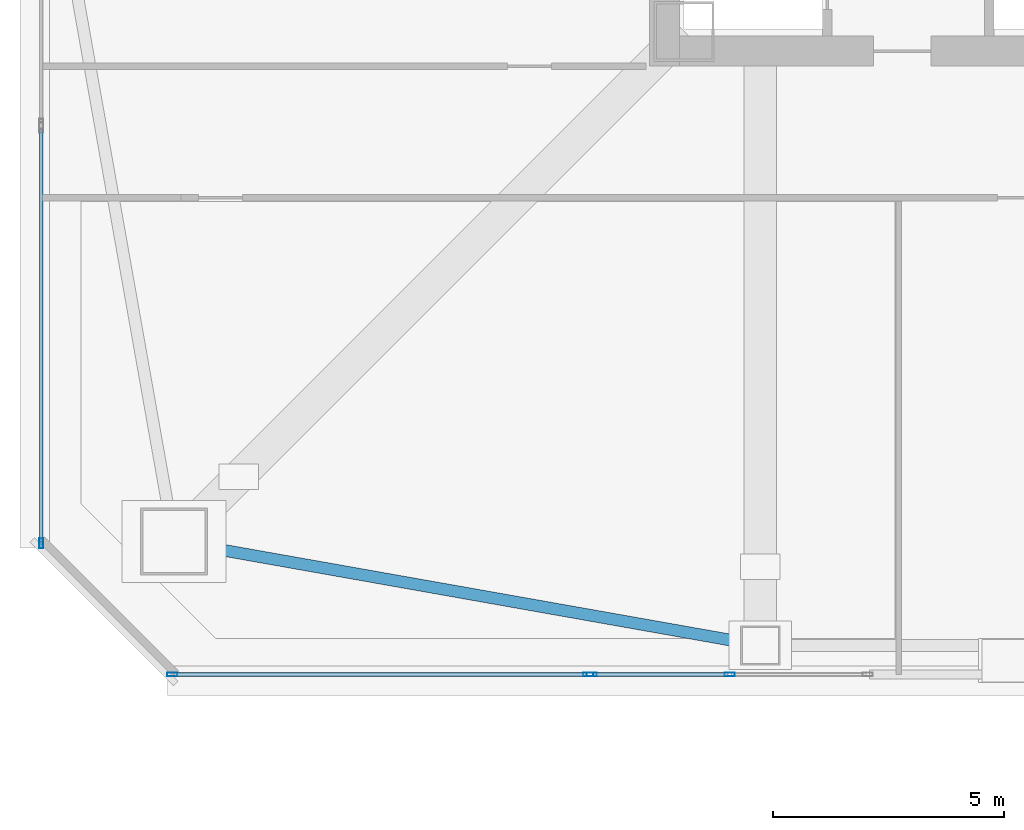
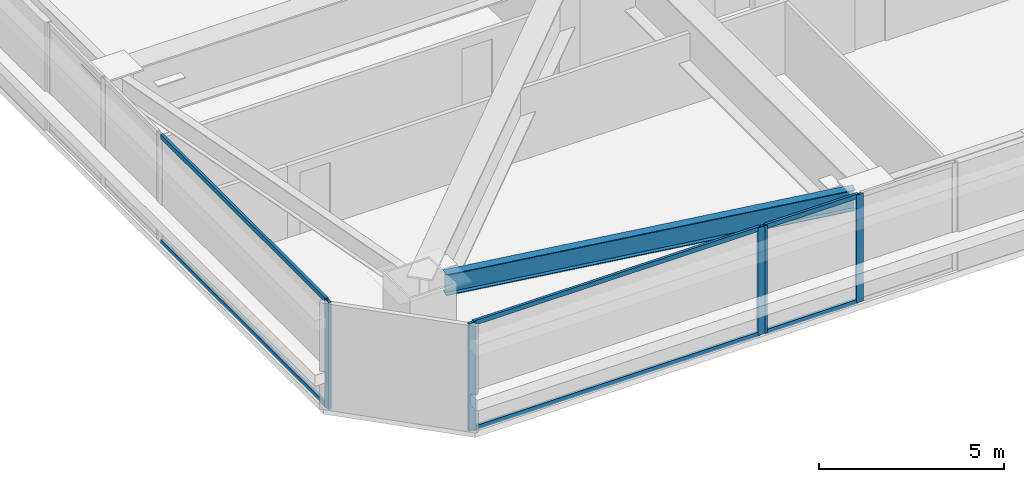
# One storey, part 3 of 49: 11 members, 1 beam, 3 elements without a shape of their own.
"""IFC4 building model written with IfcOpenShell, lengths in metres."""

from ifc_helpers import new_model, si_unit, direction, frame, origin, origin_2d, place, context, subcontext, project, spatial, hollow_rectangle, i_section, extrude, material, material_profile, profile_set, type_object, element, aggregate, save


model = new_model("IFC4")

# Units and contexts
model_context = context("Model", 3, precision=1e-05, world=origin(), true_north=direction((0.0, 1.0)))
body_context = subcontext(model_context, "Body", "Model", "MODEL_VIEW")
ifc_project = project(units=[si_unit("LENGTHUNIT", "METRE"), si_unit("AREAUNIT", "SQUARE_METRE"), si_unit("VOLUMEUNIT", "CUBIC_METRE"), si_unit("PLANEANGLEUNIT", "RADIAN"), si_unit("MASSUNIT", "GRAM", prefix="KILO")], contexts=[model_context])

# Site, building, storey
site_placement = place(None, origin())
site = spatial("IfcSite", under=ifc_project, at=site_placement, CompositionType="ELEMENT")
building_placement = place(site_placement, origin())
building = spatial("IfcBuilding", under=site, at=building_placement, Name="Tashvorn Skyway Center", CompositionType="ELEMENT")
storey_placement = place(building_placement, frame((0.0, 0.0, 106.25)))
storey = spatial("IfcBuildingStorey", under=building, at=storey_placement, Name="L28", CompositionType="ELEMENT", Elevation=106.25)

# Beam
ifc_material_1 = material(Name="Steel ASTM A992 Grade 50", Category="steel")
ifc_material_profile_1 = material_profile(ifc_material_1, i_section(OverallWidth=0.256103515625, OverallDepth=0.693115234375, WebThickness=0.014404296875, FlangeThickness=0.023681640625, at=origin_2d()), Name="W27X114")
ifc_profile_set_1 = profile_set([ifc_material_profile_1], Name="Steel ASTM A992 Grade 50")
beam_type = type_object("IfcBeamType", Name="BM-SPANDREL-W27X114", PredefinedType="SPANDREL", material=ifc_profile_set_1)
beam_placement = place(storey_placement, frame((24.60888671875, 13.7744140625, 2.903564453125), z_axis=(0.98466816531, -0.174437966698, 0.0), x_axis=(0.174437966698, 0.98466816531, 0.0)))
element("IfcBeam", 1, at=beam_placement, inside=storey, type_object=beam_type, Name="Tower 1 L28 Spandrel Beam 01", PredefinedType="SPANDREL", context=body_context, shape_type="SweptSolid", body=[
    extrude(i_section(OverallWidth=0.256103515625, OverallDepth=0.693115234375, WebThickness=0.014404296875, FlangeThickness=0.023681640625, at=origin_2d()), origin(), (0.0, 0.0, 1.0), 11.7578125),
])

# Curtain wall, members
ifc_material_2 = material(Name="Thermally broken bronze-anodized aluminium 6063-T6", Category="aluminium")
curtain_wall_type = type_object("IfcCurtainWallType", Name="CW-CW-Z2", PredefinedType="NOTDEFINED", material=ifc_material_2)
curtain_wall_1_placement = place(storey_placement, origin())
curtain_wall_1 = element("IfcCurtainWall", 2, at=curtain_wall_1_placement, inside=storey, type_object=curtain_wall_type, Name="Tower 1 L28 South Unitised Curtain Wall Glazing Group 3", PredefinedType="NOTDEFINED")
ifc_material_profile_2 = material_profile(ifc_material_2, hollow_rectangle(XDim=0.080078125, YDim=0.219970703125, WallThickness=0.0048828125, at=origin_2d()), Name="ALU-MULL-80x220")
ifc_profile_set_2 = profile_set([ifc_material_profile_2], Name="Thermally broken bronze-anodized aluminium 6063-T6")
member_type_1 = type_object("IfcMemberType", Name="CWM-CW-Z2", PredefinedType="MULLION", material=ifc_profile_set_2)
member_1_placement = place(storey_placement, frame((35.93994140625, 11.02001953125, 0.0), z_axis=(0.0, 0.0, 1.0), x_axis=(0.0, -1.0, 0.0)))
member_1 = element("IfcMember", 3, at=member_1_placement, type_object=member_type_1, Name="CW-Z2 mullion 2", PredefinedType="MULLION", context=body_context, shape_type="SweptSolid", body=[
    extrude(hollow_rectangle(XDim=0.080078125, YDim=0.219970703125, WallThickness=0.0048828125, at=origin_2d()), origin(), (0.0, 0.0, 1.0), 3.550048828125),
])
member_2_placement = place(storey_placement, frame((32.949951171875, 11.02001953125, 0.0), z_axis=(0.0, 0.0, 1.0), x_axis=(0.0, -1.0, 0.0)))
member_2 = element("IfcMember", 4, at=member_2_placement, type_object=member_type_1, Name="CW-Z2 mullion 3", PredefinedType="MULLION", context=body_context, shape_type="SweptSolid", body=[
    extrude(hollow_rectangle(XDim=0.080078125, YDim=0.219970703125, WallThickness=0.0048828125, at=origin_2d()), origin(), (0.0, 0.0, 1.0), 3.550048828125),
])

curtain_wall_2_placement = place(storey_placement, origin())
curtain_wall_2 = element("IfcCurtainWall", 5, at=curtain_wall_2_placement, inside=storey, type_object=curtain_wall_type, Name="Tower 1 L28 South Unitised Curtain Wall Glazing Group 4", PredefinedType="NOTDEFINED")
member_3_placement = place(storey_placement, frame((32.8701171875, 11.02001953125, 0.0), z_axis=(0.0, 0.0, 1.0), x_axis=(0.0, -1.0, 0.0)))
member_3 = element("IfcMember", 6, at=member_3_placement, type_object=member_type_1, Name="CW-Z2 mullion 1", PredefinedType="MULLION", context=body_context, shape_type="SweptSolid", body=[
    extrude(hollow_rectangle(XDim=0.080078125, YDim=0.219970703125, WallThickness=0.0048828125, at=origin_2d()), origin(), (0.0, 0.0, 1.0), 3.550048828125),
])
member_4_placement = place(storey_placement, frame((23.860107421875, 11.02001953125, 0.0), z_axis=(0.0, 0.0, 1.0), x_axis=(0.0, -1.0, 0.0)))
member_4 = element("IfcMember", 7, at=member_4_placement, type_object=member_type_1, Name="CW-Z2 mullion 2", PredefinedType="MULLION", context=body_context, shape_type="SweptSolid", body=[
    extrude(hollow_rectangle(XDim=0.080078125, YDim=0.219970703125, WallThickness=0.0048828125, at=origin_2d()), origin(), (0.0, 0.0, 1.0), 3.550048828125),
])

# Curtain wall, member
curtain_wall_3_placement = place(storey_placement, origin())
curtain_wall_3 = element("IfcCurtainWall", 8, at=curtain_wall_3_placement, inside=storey, type_object=curtain_wall_type, Name="Tower 1 L28 West Unitised Curtain Wall Glazing Group 1", PredefinedType="NOTDEFINED")
member_5_placement = place(storey_placement, frame((21.02001953125, 13.860107421875, 0.0), z_axis=(0.0, 0.0, 1.0), x_axis=(-1.0, 0.0, 0.0)))
member_5 = element("IfcMember", 9, at=member_5_placement, type_object=member_type_1, Name="CW-Z2 mullion 1", PredefinedType="MULLION", context=body_context, shape_type="SweptSolid", body=[
    extrude(hollow_rectangle(XDim=0.080078125, YDim=0.219970703125, WallThickness=0.0048828125, at=origin_2d()), origin(), (0.0, 0.0, 1.0), 3.550048828125),
])

# Member
ifc_material_profile_3 = material_profile(ifc_material_2, hollow_rectangle(XDim=0.080078125, YDim=0.14990234375, WallThickness=0.00439453125, at=origin_2d()), Name="ALU-TRAN-80x150")
ifc_profile_set_3 = profile_set([ifc_material_profile_3], Name="Thermally broken bronze-anodized aluminium 6063-T6")
member_type_2 = type_object("IfcMemberType", Name="CWT-CW-Z2", PredefinedType="USERDEFINED", material=ifc_profile_set_3)
member_6_placement = place(storey_placement, frame((35.89990234375, 11.02001953125, 0.0400390625), z_axis=(-1.0, 0.0, 0.0), x_axis=(0.0, -1.0, 0.0)))
member_6 = element("IfcMember", 10, at=member_6_placement, type_object=member_type_2, Name="CW-Z2 transom 2.1", ObjectType="TRANSOM", PredefinedType="USERDEFINED", context=body_context, shape_type="SweptSolid", body=[
    extrude(hollow_rectangle(XDim=0.080078125, YDim=0.14990234375, WallThickness=0.00439453125, at=origin_2d()), origin(), (0.0, 0.0, 1.0), 2.909912109375),
])

member_7_placement = place(storey_placement, frame((35.89990234375, 11.02001953125, 3.510009765625), z_axis=(-1.0, 0.0, 0.0), x_axis=(0.0, -1.0, 0.0)))
member_7 = element("IfcMember", 11, at=member_7_placement, type_object=member_type_2, Name="CW-Z2 transom 2.2", ObjectType="TRANSOM", PredefinedType="USERDEFINED", context=body_context, shape_type="SweptSolid", body=[
    extrude(hollow_rectangle(XDim=0.080078125, YDim=0.14990234375, WallThickness=0.00439453125, at=origin_2d()), origin(), (0.0, 0.0, 1.0), 2.909912109375),
])

aggregate(curtain_wall_1, [member_1, member_2, member_6, member_7])

member_8_placement = place(storey_placement, frame((32.830078125, 11.02001953125, 0.0400390625), z_axis=(-1.0, 0.0, 0.0), x_axis=(0.0, -1.0, 0.0)))
member_8 = element("IfcMember", 12, at=member_8_placement, type_object=member_type_2, Name="CW-Z2 transom 1.1", ObjectType="TRANSOM", PredefinedType="USERDEFINED", context=body_context, shape_type="SweptSolid", body=[
    extrude(hollow_rectangle(XDim=0.080078125, YDim=0.14990234375, WallThickness=0.00439453125, at=origin_2d()), origin(), (0.0, 0.0, 1.0), 8.93017578125),
])

member_9_placement = place(storey_placement, frame((32.830078125, 11.02001953125, 3.510009765625), z_axis=(-1.0, 0.0, 0.0), x_axis=(0.0, -1.0, 0.0)))
member_9 = element("IfcMember", 13, at=member_9_placement, type_object=member_type_2, Name="CW-Z2 transom 1.2", ObjectType="TRANSOM", PredefinedType="USERDEFINED", context=body_context, shape_type="SweptSolid", body=[
    extrude(hollow_rectangle(XDim=0.080078125, YDim=0.14990234375, WallThickness=0.00439453125, at=origin_2d()), origin(), (0.0, 0.0, 1.0), 8.93017578125),
])

aggregate(curtain_wall_2, [member_3, member_4, member_8, member_9])

member_10_placement = place(storey_placement, frame((21.02001953125, 13.89990234375, 0.0400390625), z_axis=(0.0, 1.0, 0.0), x_axis=(-1.0, 0.0, 0.0)))
member_10 = element("IfcMember", 14, at=member_10_placement, type_object=member_type_2, Name="CW-Z2 transom 1.1", ObjectType="TRANSOM", PredefinedType="USERDEFINED", context=body_context, shape_type="SweptSolid", body=[
    extrude(hollow_rectangle(XDim=0.080078125, YDim=0.14990234375, WallThickness=0.00439453125, at=origin_2d()), origin(), (0.0, 0.0, 1.0), 8.93017578125),
])

member_11_placement = place(storey_placement, frame((21.02001953125, 13.89990234375, 3.510009765625), z_axis=(0.0, 1.0, 0.0), x_axis=(-1.0, 0.0, 0.0)))
member_11 = element("IfcMember", 15, at=member_11_placement, type_object=member_type_2, Name="CW-Z2 transom 1.2", ObjectType="TRANSOM", PredefinedType="USERDEFINED", context=body_context, shape_type="SweptSolid", body=[
    extrude(hollow_rectangle(XDim=0.080078125, YDim=0.14990234375, WallThickness=0.00439453125, at=origin_2d()), origin(), (0.0, 0.0, 1.0), 8.93017578125),
])

aggregate(curtain_wall_3, [member_5, member_10, member_11])

save(model, "model.ifc")
